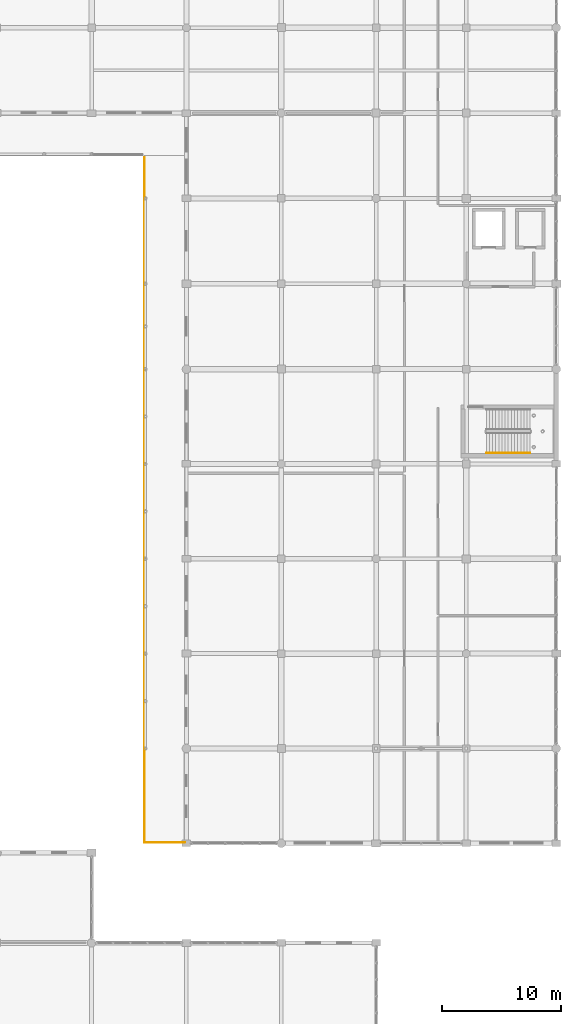
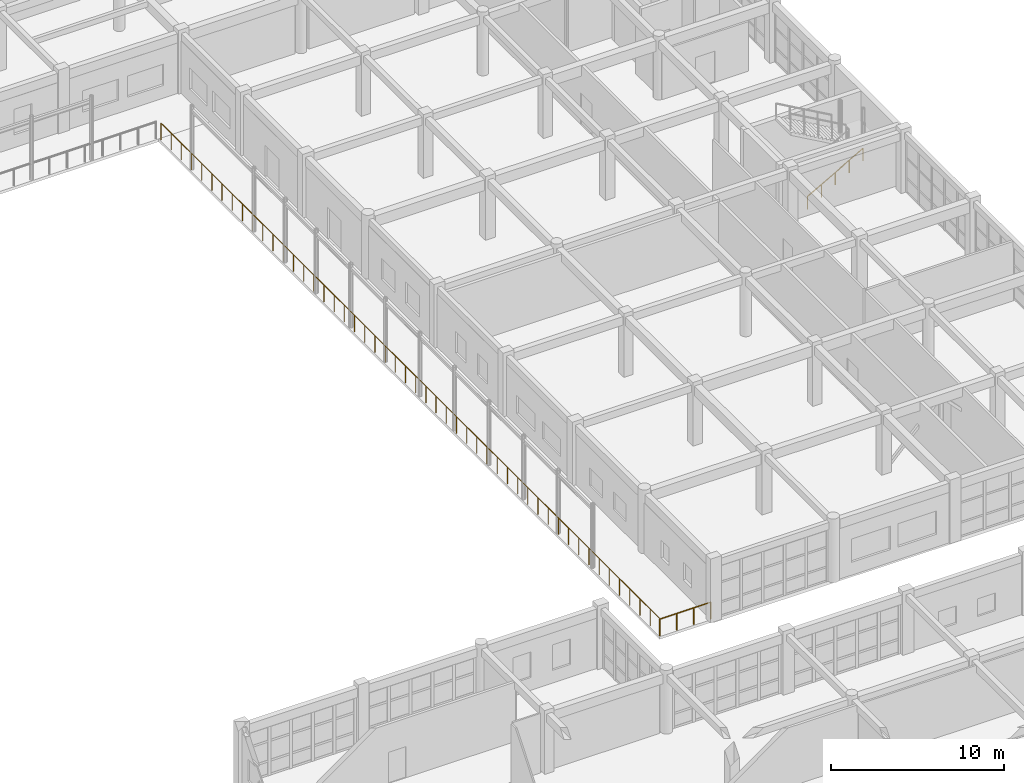
# One storey, part 157 of 160: 3 railings.
"""IFC4 building model written with IfcOpenShell, lengths in metres."""

from ifc_helpers import new_model, si_unit, direction, frame, origin, origin_2d, place, context, subcontext, project, spatial, circle, extrude, material, type_object, element, save


model = new_model("IFC4")

# Units and contexts
model_context = context("Model", 3, precision=1e-05, world=origin(), true_north=direction((0.0, 1.0)))
body_context = subcontext(model_context, "Body", "Model", "MODEL_VIEW")
ifc_project = project(units=[si_unit("LENGTHUNIT", "METRE"), si_unit("AREAUNIT", "SQUARE_METRE"), si_unit("VOLUMEUNIT", "CUBIC_METRE"), si_unit("PLANEANGLEUNIT", "RADIAN"), si_unit("MASSUNIT", "GRAM", prefix="KILO")], contexts=[model_context])

# Site, building, storey
site_placement = place(None, origin())
site = spatial("IfcSite", under=ifc_project, at=site_placement, CompositionType="ELEMENT")
building_placement = place(site_placement, origin())
building = spatial("IfcBuilding", under=site, at=building_placement, Name="Kharva Crest Polytechnic", CompositionType="ELEMENT")
storey_placement = place(building_placement, frame((0.0, 0.0, 4.5)))
storey = spatial("IfcBuildingStorey", under=building, at=storey_placement, Name="L01", CompositionType="ELEMENT", Elevation=4.5)

# Railings
ifc_material_1 = material(Name="Anodised aluminium", Category="aluminium")
railing_type_1 = type_object("IfcRailingType", Name="RL-BALUSTRADE-1200", PredefinedType="BALUSTRADE", material=ifc_material_1)
railing_1_placement = place(storey_placement, frame((149.260009765625, 38.8798828125, 0.0)))
element("IfcRailing", 1, at=railing_1_placement, inside=storey, type_object=railing_type_1, Name="L01 VER_E_L01 S Balustrade 8", PredefinedType="BALUSTRADE", context=body_context, shape_type="SweptSolid", body=[
    extrude(circle(Radius=0.02392578125, at=origin_2d()), frame((0.0, 0.0, 1.17578125), z_axis=(1.0, 0.0, 0.0), x_axis=(0.0, 1.0, 0.0)), (0.0, 0.0, 1.0), 3.39990234375),
    extrude(circle(Radius=0.02099609375, at=origin_2d()), origin(), (0.0, 0.0, 1.0), 1.15185546875),
    extrude(circle(Radius=0.02099609375, at=origin_2d()), frame((1.13330078125, 0.0, 0.0)), (0.0, 0.0, 1.0), 1.15185546875),
    extrude(circle(Radius=0.02099609375, at=origin_2d()), frame((2.2666015625, 0.0, 0.0)), (0.0, 0.0, 1.0), 1.15185546875),
    extrude(circle(Radius=0.02099609375, at=origin_2d()), frame((3.39990234375, 0.0, 0.0)), (0.0, 0.0, 1.0), 1.15185546875),
])
railing_2_placement = place(storey_placement, frame((149.280029296875, 38.860107421875, 0.0)))
element("IfcRailing", 2, at=railing_2_placement, inside=storey, type_object=railing_type_1, Name="L01 VER_E_L01 W Balustrade 9", PredefinedType="BALUSTRADE", context=body_context, shape_type="SweptSolid", body=[
    extrude(circle(Radius=0.02392578125, at=origin_2d()), frame((0.0, 0.0, 1.17578125), z_axis=(0.0, 1.0, 0.0), x_axis=(-1.0, 0.0, 0.0)), (0.0, 0.0, 1.0), 57.7998046875),
    extrude(circle(Radius=0.02099609375, at=origin_2d()), origin(), (0.0, 0.0, 1.0), 1.15185546875),
    extrude(circle(Radius=0.02099609375, at=origin_2d()), frame((0.0, 1.1796875, 0.0)), (0.0, 0.0, 1.0), 1.15185546875),
    extrude(circle(Radius=0.02099609375, at=origin_2d()), frame((0.0, 2.359130859375, 0.0)), (0.0, 0.0, 1.0), 1.15185546875),
    extrude(circle(Radius=0.02099609375, at=origin_2d()), frame((0.0, 3.538818359375, 0.0)), (0.0, 0.0, 1.0), 1.15185546875),
    extrude(circle(Radius=0.02099609375, at=origin_2d()), frame((0.0, 4.71826171875, 0.0)), (0.0, 0.0, 1.0), 1.15185546875),
    extrude(circle(Radius=0.02099609375, at=origin_2d()), frame((0.0, 5.89794921875, 0.0)), (0.0, 0.0, 1.0), 1.15185546875),
    extrude(circle(Radius=0.02099609375, at=origin_2d()), frame((0.0, 7.07763671875, 0.0)), (0.0, 0.0, 1.0), 1.15185546875),
    extrude(circle(Radius=0.02099609375, at=origin_2d()), frame((0.0, 8.257080078125, 0.0)), (0.0, 0.0, 1.0), 1.15185546875),
    extrude(circle(Radius=0.02099609375, at=origin_2d()), frame((0.0, 9.436767578125, 0.0)), (0.0, 0.0, 1.0), 1.15185546875),
    extrude(circle(Radius=0.02099609375, at=origin_2d()), frame((0.0, 10.6162109375, 0.0)), (0.0, 0.0, 1.0), 1.15185546875),
    extrude(circle(Radius=0.02099609375, at=origin_2d()), frame((0.0, 11.7958984375, 0.0)), (0.0, 0.0, 1.0), 1.15185546875),
    extrude(circle(Radius=0.02099609375, at=origin_2d()), frame((0.0, 12.9755859375, 0.0)), (0.0, 0.0, 1.0), 1.15185546875),
    extrude(circle(Radius=0.02099609375, at=origin_2d()), frame((0.0, 14.155029296875, 0.0)), (0.0, 0.0, 1.0), 1.15185546875),
    extrude(circle(Radius=0.02099609375, at=origin_2d()), frame((0.0, 15.334716796875, 0.0)), (0.0, 0.0, 1.0), 1.15185546875),
    extrude(circle(Radius=0.02099609375, at=origin_2d()), frame((0.0, 16.51416015625, 0.0)), (0.0, 0.0, 1.0), 1.15185546875),
    extrude(circle(Radius=0.02099609375, at=origin_2d()), frame((0.0, 17.69384765625, 0.0)), (0.0, 0.0, 1.0), 1.15185546875),
    extrude(circle(Radius=0.02099609375, at=origin_2d()), frame((0.0, 18.873291015625, 0.0)), (0.0, 0.0, 1.0), 1.15185546875),
    extrude(circle(Radius=0.02099609375, at=origin_2d()), frame((0.0, 20.052978515625, 0.0)), (0.0, 0.0, 1.0), 1.15185546875),
    extrude(circle(Radius=0.02099609375, at=origin_2d()), frame((0.0, 21.232666015625, 0.0)), (0.0, 0.0, 1.0), 1.15185546875),
    extrude(circle(Radius=0.02099609375, at=origin_2d()), frame((0.0, 22.412109375, 0.0)), (0.0, 0.0, 1.0), 1.15185546875),
    extrude(circle(Radius=0.02099609375, at=origin_2d()), frame((0.0, 23.591796875, 0.0)), (0.0, 0.0, 1.0), 1.15185546875),
    extrude(circle(Radius=0.02099609375, at=origin_2d()), frame((0.0, 24.771240234375, 0.0)), (0.0, 0.0, 1.0), 1.15185546875),
    extrude(circle(Radius=0.02099609375, at=origin_2d()), frame((0.0, 25.950927734375, 0.0)), (0.0, 0.0, 1.0), 1.15185546875),
    extrude(circle(Radius=0.02099609375, at=origin_2d()), frame((0.0, 27.130615234375, 0.0)), (0.0, 0.0, 1.0), 1.15185546875),
    extrude(circle(Radius=0.02099609375, at=origin_2d()), frame((0.0, 28.31005859375, 0.0)), (0.0, 0.0, 1.0), 1.15185546875),
    extrude(circle(Radius=0.02099609375, at=origin_2d()), frame((0.0, 29.48974609375, 0.0)), (0.0, 0.0, 1.0), 1.15185546875),
    extrude(circle(Radius=0.02099609375, at=origin_2d()), frame((0.0, 30.669189453125, 0.0)), (0.0, 0.0, 1.0), 1.15185546875),
    extrude(circle(Radius=0.02099609375, at=origin_2d()), frame((0.0, 31.848876953125, 0.0)), (0.0, 0.0, 1.0), 1.15185546875),
    extrude(circle(Radius=0.02099609375, at=origin_2d()), frame((0.0, 33.028564453125, 0.0)), (0.0, 0.0, 1.0), 1.15185546875),
    extrude(circle(Radius=0.02099609375, at=origin_2d()), frame((0.0, 34.2080078125, 0.0)), (0.0, 0.0, 1.0), 1.15185546875),
    extrude(circle(Radius=0.02099609375, at=origin_2d()), frame((0.0, 35.3876953125, 0.0)), (0.0, 0.0, 1.0), 1.15185546875),
    extrude(circle(Radius=0.02099609375, at=origin_2d()), frame((0.0, 36.567138671875, 0.0)), (0.0, 0.0, 1.0), 1.15185546875),
    extrude(circle(Radius=0.02099609375, at=origin_2d()), frame((0.0, 37.746826171875, 0.0)), (0.0, 0.0, 1.0), 1.15185546875),
    extrude(circle(Radius=0.02099609375, at=origin_2d()), frame((0.0, 38.926513671875, 0.0)), (0.0, 0.0, 1.0), 1.15185546875),
    extrude(circle(Radius=0.02099609375, at=origin_2d()), frame((0.0, 40.10595703125, 0.0)), (0.0, 0.0, 1.0), 1.15185546875),
    extrude(circle(Radius=0.02099609375, at=origin_2d()), frame((0.0, 41.28564453125, 0.0)), (0.0, 0.0, 1.0), 1.15185546875),
    extrude(circle(Radius=0.02099609375, at=origin_2d()), frame((0.0, 42.465087890625, 0.0)), (0.0, 0.0, 1.0), 1.15185546875),
    extrude(circle(Radius=0.02099609375, at=origin_2d()), frame((0.0, 43.644775390625, 0.0)), (0.0, 0.0, 1.0), 1.15185546875),
    extrude(circle(Radius=0.02099609375, at=origin_2d()), frame((0.0, 44.82421875, 0.0)), (0.0, 0.0, 1.0), 1.15185546875),
    extrude(circle(Radius=0.02099609375, at=origin_2d()), frame((0.0, 46.00390625, 0.0)), (0.0, 0.0, 1.0), 1.15185546875),
    extrude(circle(Radius=0.02099609375, at=origin_2d()), frame((0.0, 47.18359375, 0.0)), (0.0, 0.0, 1.0), 1.15185546875),
    extrude(circle(Radius=0.02099609375, at=origin_2d()), frame((0.0, 48.363037109375, 0.0)), (0.0, 0.0, 1.0), 1.15185546875),
    extrude(circle(Radius=0.02099609375, at=origin_2d()), frame((0.0, 49.542724609375, 0.0)), (0.0, 0.0, 1.0), 1.15185546875),
    extrude(circle(Radius=0.02099609375, at=origin_2d()), frame((0.0, 50.72216796875, 0.0)), (0.0, 0.0, 1.0), 1.15185546875),
    extrude(circle(Radius=0.02099609375, at=origin_2d()), frame((0.0, 51.90185546875, 0.0)), (0.0, 0.0, 1.0), 1.15185546875),
    extrude(circle(Radius=0.02099609375, at=origin_2d()), frame((0.0, 53.08154296875, 0.0)), (0.0, 0.0, 1.0), 1.15185546875),
    extrude(circle(Radius=0.02099609375, at=origin_2d()), frame((0.0, 54.260986328125, 0.0)), (0.0, 0.0, 1.0), 1.15185546875),
    extrude(circle(Radius=0.02099609375, at=origin_2d()), frame((0.0, 55.440673828125, 0.0)), (0.0, 0.0, 1.0), 1.15185546875),
    extrude(circle(Radius=0.02099609375, at=origin_2d()), frame((0.0, 56.6201171875, 0.0)), (0.0, 0.0, 1.0), 1.15185546875),
    extrude(circle(Radius=0.02099609375, at=origin_2d()), frame((0.0, 57.7998046875, 0.0)), (0.0, 0.0, 1.0), 1.15185546875),
])
ifc_material_2 = material(Name="Teak timber", Category="wood")
railing_type_2 = type_object("IfcRailingType", Name="RL-STAIR-HAND-900", PredefinedType="HANDRAIL", material=ifc_material_2)
railing_3_placement = place(storey_placement, frame((178.090087890625, 71.719970703125, 0.14990234375)))
element("IfcRailing", 3, at=railing_3_placement, inside=storey, type_object=railing_type_2, Name="L01 ST-05 stair handrail 1", PredefinedType="HANDRAIL", context=body_context, shape_type="SweptSolid", body=[
    extrude(circle(Radius=0.02392578125, at=origin_2d()), frame((0.0, 0.0, 0.8759765625), z_axis=(0.870244811389, 0.0, 0.492619496418), x_axis=(0.0, 1.0, 0.0)), (0.0, 0.0, 1.0), 4.26318359375),
    extrude(circle(Radius=0.02099609375, at=origin_2d()), origin(), (0.0, 0.0, 1.0), 0.851806640625),
    extrude(circle(Radius=0.02099609375, at=origin_2d()), frame((0.927490234375, 0.0, 0.52490234375)), (0.0, 0.0, 1.0), 0.851806640625),
    extrude(circle(Radius=0.02099609375, at=origin_2d()), frame((1.85498046875, 0.0, 1.050048828125)), (0.0, 0.0, 1.0), 0.851806640625),
    extrude(circle(Radius=0.02099609375, at=origin_2d()), frame((2.782470703125, 0.0, 1.5751953125)), (0.0, 0.0, 1.0), 0.851806640625),
    extrude(circle(Radius=0.02099609375, at=origin_2d()), frame((3.7099609375, 0.0, 2.10009765625)), (0.0, 0.0, 1.0), 0.851806640625),
])

save(model, "model.ifc")
